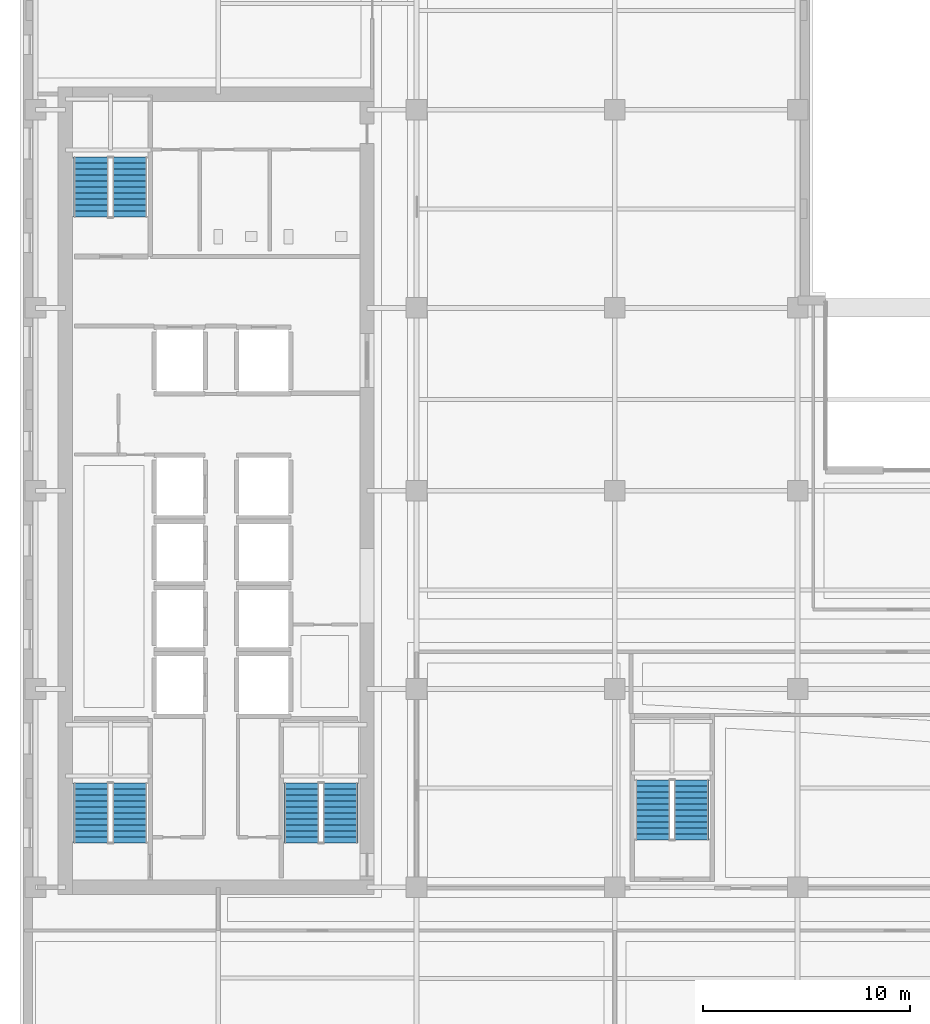
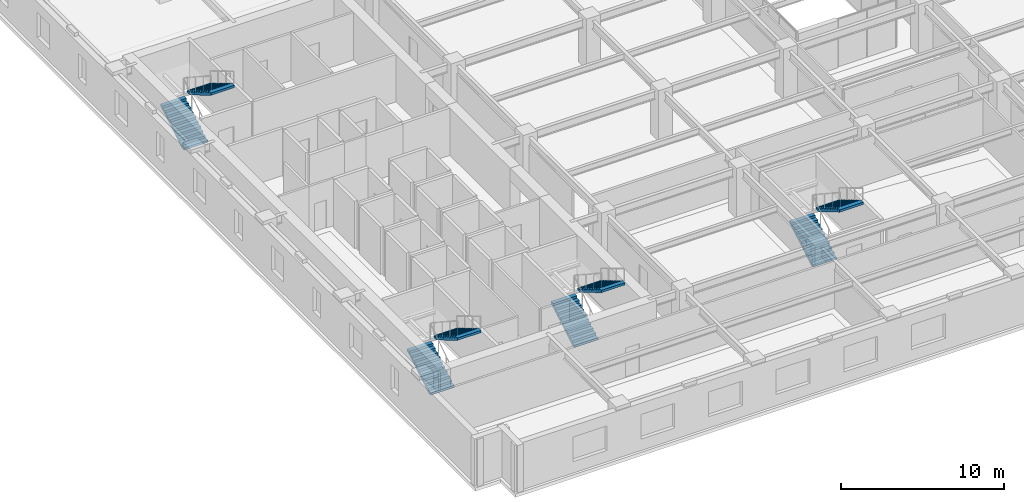
# One storey, part 8 of 14: 8 stair flights, 4 elements without a shape of their own.
"""IFC4 building model written with IfcOpenShell, lengths in metres."""

from ifc_helpers import new_model, si_unit, direction, frame, origin, place, context, subcontext, project, spatial, polyline, outline, extrude, material, type_object, element, aggregate, save


model = new_model("IFC4")

# Units and contexts
model_context = context("Model", 3, precision=1e-05, world=origin(), true_north=direction((0.0, 1.0)))
body_context = subcontext(model_context, "Body", "Model", "MODEL_VIEW")
ifc_project = project(units=[si_unit("LENGTHUNIT", "METRE"), si_unit("AREAUNIT", "SQUARE_METRE"), si_unit("VOLUMEUNIT", "CUBIC_METRE"), si_unit("PLANEANGLEUNIT", "RADIAN"), si_unit("MASSUNIT", "GRAM", prefix="KILO")], contexts=[model_context])

# Site, building, storey
site_placement = place(None, origin())
site = spatial("IfcSite", under=ifc_project, at=site_placement, CompositionType="ELEMENT")
building_placement = place(site_placement, origin())
building = spatial("IfcBuilding", under=site, at=building_placement, Name="Norrvale University Quadrangle", CompositionType="ELEMENT")
storey_placement = place(building_placement, frame((0.0, 0.0, 116.60009765625)))
storey = spatial("IfcBuildingStorey", under=building, at=storey_placement, Name="L29", CompositionType="ELEMENT", Elevation=116.60009765625)

# Stair, stair flights
ifc_material = material(Name="Concrete C40/50", Category="concrete")
stair_type = type_object("IfcStairType", Name="Stair Tower Typ 3800", PredefinedType="TWO_STRAIGHT_RUN_STAIR", material=ifc_material)
stair_1_placement = place(storey_placement, origin())
stair_1 = element("IfcStair", 1, at=stair_1_placement, inside=storey, type_object=stair_type, Name="Exit Stair ST-01 L29", PredefinedType="TWO_STRAIGHT_RUN_STAIR")
stair_flight_type = type_object("IfcStairFlightType", Name="Flight Typ 1500", PredefinedType="STRAIGHT", material=ifc_material)
stair_flight_1_placement = place(storey_placement, frame((3.429931640625, 11.75, 0.0), z_axis=(0.0, 0.0, 1.0), x_axis=(0.0, 1.0, 0.0)))
stair_flight_1 = element("IfcStairFlight", 2, at=stair_flight_1_placement, type_object=stair_flight_type, Name="Exit Stair ST-01 L29 Lower Flight", NumberOfRisers=11, NumberOfTreads=10, PredefinedType="STRAIGHT", RiserHeight=0.172727, TreadLength=0.29, context=body_context, shape_type="SweptSolid", body=[
    extrude(outline(polyline([(0.0, 0.0), (0.0, 0.172607421875), (0.2900390625, 0.172607421875), (0.2900390625, 0.345458984375), (0.580078125, 0.345458984375), (0.580078125, 0.51806640625), (0.8701171875, 0.51806640625), (0.8701171875, 0.69091796875), (1.159912109375, 0.69091796875), (1.159912109375, 0.863525390625), (1.449951171875, 0.863525390625), (1.449951171875, 1.036376953125), (1.739990234375, 1.036376953125), (1.739990234375, 1.208984375), (2.030029296875, 1.208984375), (2.030029296875, 1.3818359375), (2.320068359375, 1.3818359375), (2.320068359375, 1.554443359375), (2.610107421875, 1.554443359375), (2.610107421875, 1.727294921875), (2.89990234375, 1.727294921875), (2.89990234375, 1.89990234375), (2.89990234375, 1.552734375), (0.29296875, 0.0), (0.0, 0.0)])), frame((0.0, 0.83984375, 0.0), z_axis=(0.0, -1.0, 0.0), x_axis=(1.0, 0.0, 0.0)), (0.0, 0.0, 1.0), 1.679931640625),
])
stair_flight_2_placement = place(storey_placement, frame((5.320068359375, 14.64990234375, 1.89990234375), z_axis=(0.0, 0.0, 1.0), x_axis=(0.0, -1.0, 0.0)))
stair_flight_2 = element("IfcStairFlight", 3, at=stair_flight_2_placement, type_object=stair_flight_type, Name="Exit Stair ST-01 L29 Upper Flight", NumberOfRisers=11, NumberOfTreads=10, PredefinedType="STRAIGHT", RiserHeight=0.172727, TreadLength=0.29, context=body_context, shape_type="SweptSolid", body=[
    extrude(outline(polyline([(0.0, 0.0), (0.0, 0.172607421875), (0.2900390625, 0.172607421875), (0.2900390625, 0.345458984375), (0.580078125, 0.345458984375), (0.580078125, 0.51806640625), (0.8701171875, 0.51806640625), (0.8701171875, 0.69091796875), (1.159912109375, 0.69091796875), (1.159912109375, 0.863525390625), (1.449951171875, 0.863525390625), (1.449951171875, 1.036376953125), (1.739990234375, 1.036376953125), (1.739990234375, 1.208984375), (2.030029296875, 1.208984375), (2.030029296875, 1.3818359375), (2.320068359375, 1.3818359375), (2.320068359375, 1.554443359375), (2.610107421875, 1.554443359375), (2.610107421875, 1.727294921875), (2.89990234375, 1.727294921875), (2.89990234375, 1.89990234375), (2.89990234375, 1.552734375), (0.29296875, 0.0), (0.0, 0.0)])), frame((0.0, 0.83984375, 0.0), z_axis=(0.0, -1.0, 0.0), x_axis=(1.0, 0.0, 0.0)), (0.0, 0.0, 1.0), 1.679931640625),
])
aggregate(stair_1, [stair_flight_1, stair_flight_2])

stair_2_placement = place(storey_placement, origin())
stair_2 = element("IfcStair", 4, at=stair_2_placement, inside=storey, type_object=stair_type, Name="Exit Stair ST-02 L29", PredefinedType="TWO_STRAIGHT_RUN_STAIR")
stair_flight_3_placement = place(storey_placement, frame((3.429931640625, 42.050048828125, 0.0), z_axis=(0.0, 0.0, 1.0), x_axis=(0.0, 1.0, 0.0)))
stair_flight_3 = element("IfcStairFlight", 5, at=stair_flight_3_placement, type_object=stair_flight_type, Name="Exit Stair ST-02 L29 Lower Flight", NumberOfRisers=11, NumberOfTreads=10, PredefinedType="STRAIGHT", RiserHeight=0.172727, TreadLength=0.29, context=body_context, shape_type="SweptSolid", body=[
    extrude(outline(polyline([(0.0, 0.0), (0.0, 0.172607421875), (0.2900390625, 0.172607421875), (0.2900390625, 0.345458984375), (0.580078125, 0.345458984375), (0.580078125, 0.51806640625), (0.8701171875, 0.51806640625), (0.8701171875, 0.69091796875), (1.159912109375, 0.69091796875), (1.159912109375, 0.863525390625), (1.449951171875, 0.863525390625), (1.449951171875, 1.036376953125), (1.739990234375, 1.036376953125), (1.739990234375, 1.208984375), (2.030029296875, 1.208984375), (2.030029296875, 1.3818359375), (2.320068359375, 1.3818359375), (2.320068359375, 1.554443359375), (2.610107421875, 1.554443359375), (2.610107421875, 1.727294921875), (2.89990234375, 1.727294921875), (2.89990234375, 1.89990234375), (2.89990234375, 1.552734375), (0.29296875, 0.0), (0.0, 0.0)])), frame((0.0, 0.83984375, 0.0), z_axis=(0.0, -1.0, 0.0), x_axis=(1.0, 0.0, 0.0)), (0.0, 0.0, 1.0), 1.679931640625),
])
stair_flight_4_placement = place(storey_placement, frame((5.320068359375, 44.949951171875, 1.89990234375), z_axis=(0.0, 0.0, 1.0), x_axis=(0.0, -1.0, 0.0)))
stair_flight_4 = element("IfcStairFlight", 6, at=stair_flight_4_placement, type_object=stair_flight_type, Name="Exit Stair ST-02 L29 Upper Flight", NumberOfRisers=11, NumberOfTreads=10, PredefinedType="STRAIGHT", RiserHeight=0.172727, TreadLength=0.29, context=body_context, shape_type="SweptSolid", body=[
    extrude(outline(polyline([(0.0, 0.0), (0.0, 0.172607421875), (0.2900390625, 0.172607421875), (0.2900390625, 0.345458984375), (0.580078125, 0.345458984375), (0.580078125, 0.51806640625), (0.8701171875, 0.51806640625), (0.8701171875, 0.69091796875), (1.159912109375, 0.69091796875), (1.159912109375, 0.863525390625), (1.449951171875, 0.863525390625), (1.449951171875, 1.036376953125), (1.739990234375, 1.036376953125), (1.739990234375, 1.208984375), (2.030029296875, 1.208984375), (2.030029296875, 1.3818359375), (2.320068359375, 1.3818359375), (2.320068359375, 1.554443359375), (2.610107421875, 1.554443359375), (2.610107421875, 1.727294921875), (2.89990234375, 1.727294921875), (2.89990234375, 1.89990234375), (2.89990234375, 1.552734375), (0.29296875, 0.0), (0.0, 0.0)])), frame((0.0, 0.83984375, 0.0), z_axis=(0.0, -1.0, 0.0), x_axis=(1.0, 0.0, 0.0)), (0.0, 0.0, 1.0), 1.679931640625),
])
aggregate(stair_2, [stair_flight_3, stair_flight_4])

stair_3_placement = place(storey_placement, origin())
stair_3 = element("IfcStair", 7, at=stair_3_placement, inside=storey, type_object=stair_type, Name="Exit Stair ST-03 L29", PredefinedType="TWO_STRAIGHT_RUN_STAIR")
stair_flight_5_placement = place(storey_placement, frame((13.6298828125, 11.75, 0.0), z_axis=(0.0, 0.0, 1.0), x_axis=(0.0, 1.0, 0.0)))
stair_flight_5 = element("IfcStairFlight", 8, at=stair_flight_5_placement, type_object=stair_flight_type, Name="Exit Stair ST-03 L29 Lower Flight", NumberOfRisers=11, NumberOfTreads=10, PredefinedType="STRAIGHT", RiserHeight=0.172727, TreadLength=0.29, context=body_context, shape_type="SweptSolid", body=[
    extrude(outline(polyline([(0.0, 0.0), (0.0, 0.172607421875), (0.2900390625, 0.172607421875), (0.2900390625, 0.345458984375), (0.580078125, 0.345458984375), (0.580078125, 0.51806640625), (0.8701171875, 0.51806640625), (0.8701171875, 0.69091796875), (1.159912109375, 0.69091796875), (1.159912109375, 0.863525390625), (1.449951171875, 0.863525390625), (1.449951171875, 1.036376953125), (1.739990234375, 1.036376953125), (1.739990234375, 1.208984375), (2.030029296875, 1.208984375), (2.030029296875, 1.3818359375), (2.320068359375, 1.3818359375), (2.320068359375, 1.554443359375), (2.610107421875, 1.554443359375), (2.610107421875, 1.727294921875), (2.89990234375, 1.727294921875), (2.89990234375, 1.89990234375), (2.89990234375, 1.552734375), (0.29296875, 0.0), (0.0, 0.0)])), frame((0.0, 0.83984375, 0.0), z_axis=(0.0, -1.0, 0.0), x_axis=(1.0, 0.0, 0.0)), (0.0, 0.0, 1.0), 1.679931640625),
])
stair_flight_6_placement = place(storey_placement, frame((15.52001953125, 14.64990234375, 1.89990234375), z_axis=(0.0, 0.0, 1.0), x_axis=(0.0, -1.0, 0.0)))
stair_flight_6 = element("IfcStairFlight", 9, at=stair_flight_6_placement, type_object=stair_flight_type, Name="Exit Stair ST-03 L29 Upper Flight", NumberOfRisers=11, NumberOfTreads=10, PredefinedType="STRAIGHT", RiserHeight=0.172727, TreadLength=0.29, context=body_context, shape_type="SweptSolid", body=[
    extrude(outline(polyline([(0.0, 0.0), (0.0, 0.172607421875), (0.2900390625, 0.172607421875), (0.2900390625, 0.345458984375), (0.580078125, 0.345458984375), (0.580078125, 0.51806640625), (0.8701171875, 0.51806640625), (0.8701171875, 0.69091796875), (1.159912109375, 0.69091796875), (1.159912109375, 0.863525390625), (1.449951171875, 0.863525390625), (1.449951171875, 1.036376953125), (1.739990234375, 1.036376953125), (1.739990234375, 1.208984375), (2.030029296875, 1.208984375), (2.030029296875, 1.3818359375), (2.320068359375, 1.3818359375), (2.320068359375, 1.554443359375), (2.610107421875, 1.554443359375), (2.610107421875, 1.727294921875), (2.89990234375, 1.727294921875), (2.89990234375, 1.89990234375), (2.89990234375, 1.552734375), (0.29296875, 0.0), (0.0, 0.0)])), frame((0.0, 0.83984375, 0.0), z_axis=(0.0, -1.0, 0.0), x_axis=(1.0, 0.0, 0.0)), (0.0, 0.0, 1.0), 1.679931640625),
])
aggregate(stair_3, [stair_flight_5, stair_flight_6])

stair_4_placement = place(storey_placement, origin())
stair_4 = element("IfcStair", 10, at=stair_4_placement, inside=storey, type_object=stair_type, Name="Exit Stair ST-04 L29", PredefinedType="TWO_STRAIGHT_RUN_STAIR")
stair_flight_7_placement = place(storey_placement, frame((30.6298828125, 11.89990234375, 0.0), z_axis=(0.0, 0.0, 1.0), x_axis=(0.0, 1.0, 0.0)))
stair_flight_7 = element("IfcStairFlight", 11, at=stair_flight_7_placement, type_object=stair_flight_type, Name="Exit Stair ST-04 L29 Lower Flight", NumberOfRisers=11, NumberOfTreads=10, PredefinedType="STRAIGHT", RiserHeight=0.172727, TreadLength=0.29, context=body_context, shape_type="SweptSolid", body=[
    extrude(outline(polyline([(0.0, 0.0), (0.0, 0.172607421875), (0.2900390625, 0.172607421875), (0.2900390625, 0.345458984375), (0.580078125, 0.345458984375), (0.580078125, 0.51806640625), (0.8701171875, 0.51806640625), (0.8701171875, 0.69091796875), (1.159912109375, 0.69091796875), (1.159912109375, 0.863525390625), (1.449951171875, 0.863525390625), (1.449951171875, 1.036376953125), (1.739990234375, 1.036376953125), (1.739990234375, 1.208984375), (2.030029296875, 1.208984375), (2.030029296875, 1.3818359375), (2.320068359375, 1.3818359375), (2.320068359375, 1.554443359375), (2.610107421875, 1.554443359375), (2.610107421875, 1.727294921875), (2.89990234375, 1.727294921875), (2.89990234375, 1.89990234375), (2.89990234375, 1.552734375), (0.29296875, 0.0), (0.0, 0.0)])), frame((0.0, 0.83984375, 0.0), z_axis=(0.0, -1.0, 0.0), x_axis=(1.0, 0.0, 0.0)), (0.0, 0.0, 1.0), 1.679931640625),
])
stair_flight_8_placement = place(storey_placement, frame((32.52001953125, 14.800048828125, 1.89990234375), z_axis=(0.0, 0.0, 1.0), x_axis=(0.0, -1.0, 0.0)))
stair_flight_8 = element("IfcStairFlight", 12, at=stair_flight_8_placement, type_object=stair_flight_type, Name="Exit Stair ST-04 L29 Upper Flight", NumberOfRisers=11, NumberOfTreads=10, PredefinedType="STRAIGHT", RiserHeight=0.172727, TreadLength=0.29, context=body_context, shape_type="SweptSolid", body=[
    extrude(outline(polyline([(0.0, 0.0), (0.0, 0.172607421875), (0.2900390625, 0.172607421875), (0.2900390625, 0.345458984375), (0.580078125, 0.345458984375), (0.580078125, 0.51806640625), (0.8701171875, 0.51806640625), (0.8701171875, 0.69091796875), (1.159912109375, 0.69091796875), (1.159912109375, 0.863525390625), (1.449951171875, 0.863525390625), (1.449951171875, 1.036376953125), (1.739990234375, 1.036376953125), (1.739990234375, 1.208984375), (2.030029296875, 1.208984375), (2.030029296875, 1.3818359375), (2.320068359375, 1.3818359375), (2.320068359375, 1.554443359375), (2.610107421875, 1.554443359375), (2.610107421875, 1.727294921875), (2.89990234375, 1.727294921875), (2.89990234375, 1.89990234375), (2.89990234375, 1.552734375), (0.29296875, 0.0), (0.0, 0.0)])), frame((0.0, 0.83984375, 0.0), z_axis=(0.0, -1.0, 0.0), x_axis=(1.0, 0.0, 0.0)), (0.0, 0.0, 1.0), 1.679931640625),
])
aggregate(stair_4, [stair_flight_7, stair_flight_8])

save(model, "model.ifc")
